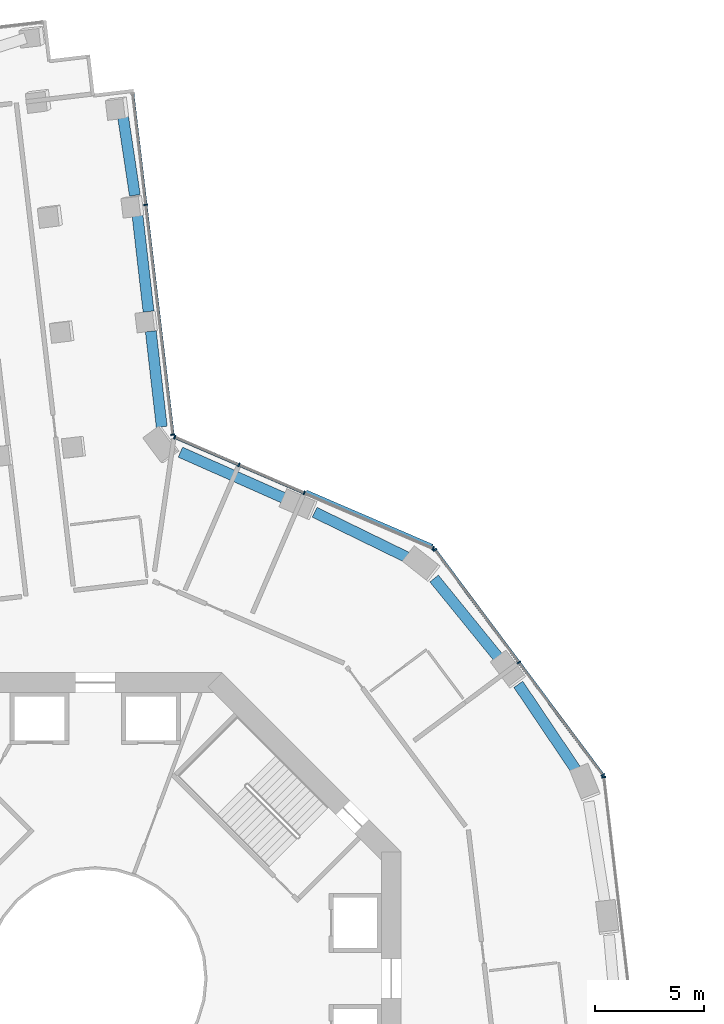
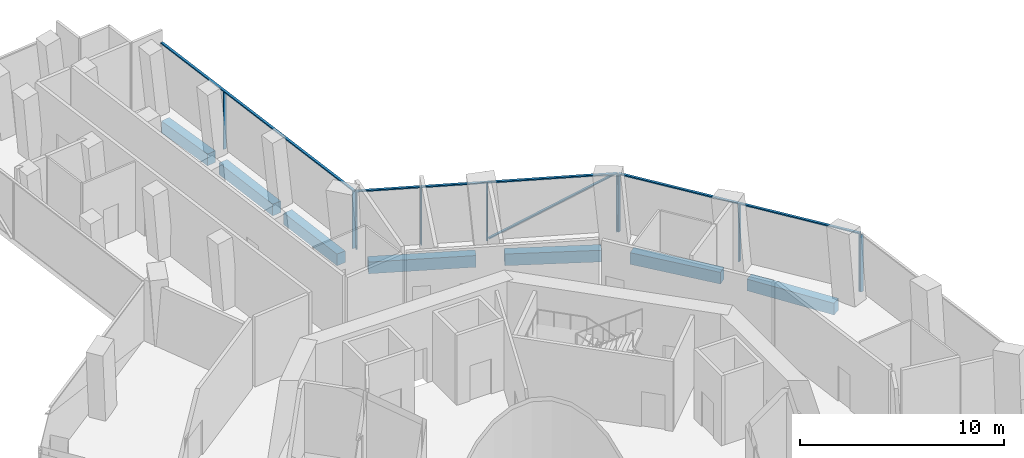
# One storey, part 7 of 17: 14 members, 7 beams, 4 elements without a shape of their own.
"""IFC4 building model written with IfcOpenShell, lengths in metres."""

from ifc_helpers import new_model, si_unit, direction, frame, origin, origin_2d, place, context, subcontext, project, spatial, rectangle, extrude, material, layer, layer_set, material_profile, profile_set, type_object, element, aggregate, save


model = new_model("IFC4")

# Units and contexts
model_context = context("Model", 3, precision=1e-05, world=origin(), true_north=direction((0.0, 1.0)))
body_context = subcontext(model_context, "Body", "Model", "MODEL_VIEW")
ifc_project = project(units=[si_unit("LENGTHUNIT", "METRE"), si_unit("AREAUNIT", "SQUARE_METRE"), si_unit("VOLUMEUNIT", "CUBIC_METRE"), si_unit("PLANEANGLEUNIT", "RADIAN"), si_unit("MASSUNIT", "GRAM", prefix="KILO")], contexts=[model_context])

# Site, building, storey
site_placement = place(None, origin())
site = spatial("IfcSite", under=ifc_project, at=site_placement, CompositionType="ELEMENT")
building_placement = place(site_placement, origin())
building = spatial("IfcBuilding", under=site, at=building_placement, Name="Verdalira Terraces Hotel", CompositionType="ELEMENT")
storey_placement = place(building_placement, frame((0.0, 0.0, 60.0)))
storey = spatial("IfcBuildingStorey", under=building, at=storey_placement, Name="L13", CompositionType="ELEMENT", Elevation=60.0)

# Curtain wall, members
ifc_material_1 = material(Name="Clear glass", Category="glass")
ifc_layer = layer(ifc_material_1, 0.179931640625)
ifc_layer_set = layer_set([ifc_layer], Name="CW4 curtain wall")
curtain_wall_type = type_object("IfcCurtainWallType", Name="CW4 curtain wall", PredefinedType="NOTDEFINED", material=ifc_layer_set)
curtain_wall_1_placement = place(storey_placement, origin())
curtain_wall_1 = element("IfcCurtainWall", 1, at=curtain_wall_1_placement, inside=storey, type_object=curtain_wall_type, Name="CW4 curtain wall L13 edge 0", PredefinedType="NOTDEFINED")
ifc_material_2 = material(Name="Terracotta frame", Category="masonry")
ifc_material_profile_1 = material_profile(ifc_material_2, rectangle(XDim=0.064941, YDim=0.179932, at=origin_2d()), Name="MU 65x180")
ifc_profile_set_1 = profile_set([ifc_material_profile_1], Name="Terracotta frame")
member_type_1 = type_object("IfcMemberType", Name="CW4 mullion 65x180", PredefinedType="MULLION", material=ifc_profile_set_1)
member_1_placement = place(storey_placement, frame((3.55127, 24.894775, 0.0), z_axis=(0.0, 0.0, 1.0), x_axis=(-0.117017412, 0.993129863, 0.0)))
member_1 = element("IfcMember", 2, at=member_1_placement, type_object=member_type_1, Name="CW4 mullion", PredefinedType="MULLION", context=body_context, shape_type="SweptSolid", body=[
    extrude(rectangle(XDim=0.064941, YDim=0.179932, at=origin_2d()), origin(), (0.0, 0.0, 1.0), 3.419922),
])
member_2_placement = place(storey_placement, frame((2.311523, 35.41626, 0.0), z_axis=(0.0, 0.0, 1.0), x_axis=(-0.117017412, 0.993129863, 0.0)))
member_2 = element("IfcMember", 3, at=member_2_placement, type_object=member_type_1, Name="CW4 mullion", PredefinedType="MULLION", context=body_context, shape_type="SweptSolid", body=[
    extrude(rectangle(XDim=0.064941, YDim=0.179932, at=origin_2d()), origin(), (0.0, 0.0, 1.0), 3.419922),
])

# Curtain wall, member
curtain_wall_2_placement = place(storey_placement, origin())
curtain_wall_2 = element("IfcCurtainWall", 4, at=curtain_wall_2_placement, inside=storey, type_object=curtain_wall_type, Name="CW4 curtain wall L13 edge 39", PredefinedType="NOTDEFINED")
member_3_placement = place(storey_placement, frame((23.280029, 9.214844, 0.0), z_axis=(0.0, 0.0, 1.0), x_axis=(-0.117017412, 0.993129863, 0.0)))
member_3 = element("IfcMember", 5, at=member_3_placement, type_object=member_type_1, Name="CW4 mullion", PredefinedType="MULLION", context=body_context, shape_type="SweptSolid", body=[
    extrude(rectangle(XDim=0.064941, YDim=0.179932, at=origin_2d()), origin(), (0.0, 0.0, 1.0), 3.419922),
])
aggregate(curtain_wall_2, [member_3])

# Curtain wall, members
curtain_wall_3_placement = place(storey_placement, origin())
curtain_wall_3 = element("IfcCurtainWall", 6, at=curtain_wall_3_placement, inside=storey, type_object=curtain_wall_type, Name="CW4 curtain wall L13 edge 40", PredefinedType="NOTDEFINED")
member_4_placement = place(storey_placement, frame((23.239502, 9.316406, 0.0), z_axis=(0.0, 0.0, 1.0), x_axis=(-0.597904983, 0.801566985, 0.0)))
member_4 = element("IfcMember", 7, at=member_4_placement, type_object=member_type_1, Name="CW4 mullion", PredefinedType="MULLION", context=body_context, shape_type="SweptSolid", body=[
    extrude(rectangle(XDim=0.064941, YDim=0.179932, at=origin_2d()), origin(), (0.0, 0.0, 1.0), 3.419922),
])
member_5_placement = place(storey_placement, frame((19.396484, 14.468262, 0.0), z_axis=(0.0, 0.0, 1.0), x_axis=(-0.597904983, 0.801566985, 0.0)))
member_5 = element("IfcMember", 8, at=member_5_placement, type_object=member_type_1, Name="CW4 mullion", PredefinedType="MULLION", context=body_context, shape_type="SweptSolid", body=[
    extrude(rectangle(XDim=0.064941, YDim=0.179932, at=origin_2d()), origin(), (0.0, 0.0, 1.0), 3.419922),
])
member_6_placement = place(storey_placement, frame((15.553711, 19.620117, 0.0), z_axis=(0.0, 0.0, 1.0), x_axis=(-0.597904983, 0.801566985, 0.0)))
member_6 = element("IfcMember", 9, at=member_6_placement, type_object=member_type_1, Name="CW4 mullion", PredefinedType="MULLION", context=body_context, shape_type="SweptSolid", body=[
    extrude(rectangle(XDim=0.064941, YDim=0.179932, at=origin_2d()), origin(), (0.0, 0.0, 1.0), 3.419922),
])

curtain_wall_4_placement = place(storey_placement, origin())
curtain_wall_4 = element("IfcCurtainWall", 10, at=curtain_wall_4_placement, inside=storey, type_object=curtain_wall_type, Name="CW4 curtain wall L13 edge 41", PredefinedType="NOTDEFINED")
member_7_placement = place(storey_placement, frame((15.467773, 19.687988, 0.0), z_axis=(0.0, 0.0, 1.0), x_axis=(-0.918584397, 0.39522488, 0.0)))
member_7 = element("IfcMember", 11, at=member_7_placement, type_object=member_type_1, Name="CW4 mullion", PredefinedType="MULLION", context=body_context, shape_type="SweptSolid", body=[
    extrude(rectangle(XDim=0.064941, YDim=0.179932, at=origin_2d()), origin(), (0.0, 0.0, 1.0), 3.419922),
])
member_8_placement = place(storey_placement, frame((9.563721, 22.228271, 0.0), z_axis=(0.0, 0.0, 1.0), x_axis=(-0.918584397, 0.39522488, 0.0)))
member_8 = element("IfcMember", 12, at=member_8_placement, type_object=member_type_1, Name="CW4 mullion", PredefinedType="MULLION", context=body_context, shape_type="SweptSolid", body=[
    extrude(rectangle(XDim=0.064941, YDim=0.179932, at=origin_2d()), origin(), (0.0, 0.0, 1.0), 3.419922),
])
member_9_placement = place(storey_placement, frame((6.578369, 23.512695, 0.0), z_axis=(0.0, 0.0, 1.0), x_axis=(-0.918584397, 0.39522488, 0.0)))
member_9 = element("IfcMember", 13, at=member_9_placement, type_object=member_type_1, Name="CW4 mullion", PredefinedType="MULLION", context=body_context, shape_type="SweptSolid", body=[
    extrude(rectangle(XDim=0.064941, YDim=0.179932, at=origin_2d()), origin(), (0.0, 0.0, 1.0), 3.419922),
])
member_10_placement = place(storey_placement, frame((3.638672, 24.777588, 0.0), z_axis=(0.0, 0.0, 1.0), x_axis=(-0.918584397, 0.39522488, 0.0)))
member_10 = element("IfcMember", 14, at=member_10_placement, type_object=member_type_1, Name="CW4 mullion", PredefinedType="MULLION", context=body_context, shape_type="SweptSolid", body=[
    extrude(rectangle(XDim=0.064941, YDim=0.179932, at=origin_2d()), origin(), (0.0, 0.0, 1.0), 3.419922),
])

# Member
ifc_material_3 = material(Name="Terracotta frame", Category="masonry")
ifc_material_profile_2 = material_profile(ifc_material_3, rectangle(XDim=0.139893, YDim=0.070068, at=origin_2d()), Name="TR 70x140")
ifc_profile_set_2 = profile_set([ifc_material_profile_2], Name="Terracotta frame")
member_type_2 = type_object("IfcMemberType", Name="CW4 transom 70x140", PredefinedType="USERDEFINED", material=ifc_profile_set_2)
member_11_placement = place(storey_placement, frame((3.555176, 24.862549, 3.455078), z_axis=(-0.117026842, 0.993128752, 0.0), x_axis=(-0.993128752, -0.117026842, 0.0)))
member_11 = element("IfcMember", 15, at=member_11_placement, type_object=member_type_2, Name="CW4 transom", ObjectType="TRANSOM", PredefinedType="USERDEFINED", context=body_context, shape_type="SweptSolid", body=[
    extrude(rectangle(XDim=0.139893, YDim=0.070068, at=origin_2d()), origin(), (0.0, 0.0, 1.0), 15.798828),
])

aggregate(curtain_wall_1, [member_1, member_2, member_11])

member_12_placement = place(storey_placement, frame((23.259033, 9.290283, 3.455078), z_axis=(-0.59791176, 0.80156193, 0.0), x_axis=(-0.80156193, -0.59791176, 0.0)))
member_12 = element("IfcMember", 16, at=member_12_placement, type_object=member_type_2, Name="CW4 transom", ObjectType="TRANSOM", PredefinedType="USERDEFINED", context=body_context, shape_type="SweptSolid", body=[
    extrude(rectangle(XDim=0.139893, YDim=0.070068, at=origin_2d()), origin(), (0.0, 0.0, 1.0), 12.919678),
])

aggregate(curtain_wall_3, [member_4, member_5, member_6, member_12])

member_13_placement = place(storey_placement, frame((15.497559, 19.675049, 3.455078), z_axis=(-0.918582089, 0.395230243, 0.0), x_axis=(-0.395230243, -0.918582089, 0.0)))
member_13 = element("IfcMember", 17, at=member_13_placement, type_object=member_type_2, Name="CW4 transom", ObjectType="TRANSOM", PredefinedType="USERDEFINED", context=body_context, shape_type="SweptSolid", body=[
    extrude(rectangle(XDim=0.139893, YDim=0.070068, at=origin_2d()), origin(), (0.0, 0.0, 1.0), 12.942383),
])

ifc_material_4 = material(Name="Terracotta frame", Category="masonry")
ifc_material_profile_3 = material_profile(ifc_material_4, rectangle(XDim=0.149902, YDim=0.060059, at=origin_2d()), Name="GB 60x150")
ifc_profile_set_3 = profile_set([ifc_material_profile_3], Name="Terracotta frame")
member_type_3 = type_object("IfcMemberType", Name="Diagonal glazing bar 60x150", PredefinedType="USERDEFINED", material=ifc_profile_set_3)
member_14_placement = place(storey_placement, frame((15.427979, 19.806396, 3.392578), z_axis=(-0.809094386, 0.348128703, -0.473468776), x_axis=(-0.39523673, -0.918579298, 0.0)))
member_14 = element("IfcMember", 18, at=member_14_placement, type_object=member_type_3, Name="Diagonal glazing bar", ObjectType="GLAZING BAR", PredefinedType="USERDEFINED", context=body_context, shape_type="SweptSolid", body=[
    extrude(rectangle(XDim=0.149902, YDim=0.060059, at=origin_2d()), origin(), (0.0, 0.0, 1.0), 7.107666),
])

aggregate(curtain_wall_4, [member_7, member_8, member_9, member_10, member_13, member_14])

# Beams
ifc_material_5 = material(Name="Concrete C70", Category="concrete")
ifc_material_profile_4 = material_profile(ifc_material_5, rectangle(XDim=0.5, YDim=0.699951, at=origin_2d()), Name="RC 500X700")
ifc_profile_set_4 = profile_set([ifc_material_profile_4], Name="Concrete C70")
beam_type = type_object("IfcBeamType", Name="Spandrel beam RC 500X700 C70", PredefinedType="SPANDREL", material=ifc_profile_set_4)
beam_1_placement = place(storey_placement, frame((3.043945, 25.25293, -0.659912), z_axis=(-0.113821919, 0.993501168, 0.0), x_axis=(-0.993501168, -0.113821919, 0.0)))
element("IfcBeam", 19, at=beam_1_placement, inside=storey, type_object=beam_type, Name="Spandrel beam B01", PredefinedType="SPANDREL", context=body_context, shape_type="SweptSolid", body=[
    extrude(rectangle(XDim=0.5, YDim=0.699951, at=origin_2d()), origin(), (0.0, 0.0, 1.0), 4.401367),
])
beam_2_placement = place(storey_placement, frame((2.439209, 30.530762, -0.659912), z_axis=(-0.113854323, 0.993497455, 0.0), x_axis=(-0.993497455, -0.113854323, 0.0)))
element("IfcBeam", 20, at=beam_2_placement, inside=storey, type_object=beam_type, Name="Spandrel beam B02", PredefinedType="SPANDREL", context=body_context, shape_type="SweptSolid", body=[
    extrude(rectangle(XDim=0.5, YDim=0.699951, at=origin_2d()), origin(), (0.0, 0.0, 1.0), 4.430176),
])
beam_3_placement = place(storey_placement, frame((1.813477, 35.848389, -0.659912), z_axis=(-0.148448504, 0.988920139, 0.0), x_axis=(-0.988920139, -0.148448504, 0.0)))
element("IfcBeam", 21, at=beam_3_placement, inside=storey, type_object=beam_type, Name="Spandrel beam B03", PredefinedType="SPANDREL", context=body_context, shape_type="SweptSolid", body=[
    extrude(rectangle(XDim=0.5, YDim=0.699951, at=origin_2d()), origin(), (0.0, 0.0, 1.0), 3.645996),
])
beam_4_placement = place(storey_placement, frame((22.025879, 9.51709, -0.659912), z_axis=(-0.558813578, 0.829293305, 0.0), x_axis=(-0.829293305, -0.558813578, 0.0)))
element("IfcBeam", 22, at=beam_4_placement, inside=storey, type_object=beam_type, Name="Spandrel beam B32", PredefinedType="SPANDREL", context=body_context, shape_type="SweptSolid", body=[
    extrude(rectangle(XDim=0.5, YDim=0.699951, at=origin_2d()), origin(), (0.0, 0.0, 1.0), 4.758545),
])
beam_5_placement = place(storey_placement, frame((18.510498, 14.61792, -0.659912), z_axis=(-0.630749166, 0.775986785, 0.0), x_axis=(-0.775986785, -0.630749166, 0.0)))
element("IfcBeam", 23, at=beam_5_placement, inside=storey, type_object=beam_type, Name="Spandrel beam B33", PredefinedType="SPANDREL", context=body_context, shape_type="SweptSolid", body=[
    extrude(rectangle(XDim=0.5, YDim=0.699951, at=origin_2d()), origin(), (0.0, 0.0, 1.0), 4.755371),
])
beam_6_placement = place(storey_placement, frame((14.316406, 19.254883, -0.659912), z_axis=(-0.898584452, 0.438800618, 0.0), x_axis=(-0.438800618, -0.898584452, 0.0)))
element("IfcBeam", 24, at=beam_6_placement, inside=storey, type_object=beam_type, Name="Spandrel beam B34", PredefinedType="SPANDREL", context=body_context, shape_type="SweptSolid", body=[
    extrude(rectangle(XDim=0.5, YDim=0.699951, at=origin_2d()), origin(), (0.0, 0.0, 1.0), 4.758789),
])
beam_7_placement = place(storey_placement, frame((8.756104, 21.940674, -0.659912), z_axis=(-0.914401889, 0.404807591, 0.0), x_axis=(-0.404807591, -0.914401889, 0.0)))
element("IfcBeam", 25, at=beam_7_placement, inside=storey, type_object=beam_type, Name="Spandrel beam B35", PredefinedType="SPANDREL", context=body_context, shape_type="SweptSolid", body=[
    extrude(rectangle(XDim=0.5, YDim=0.699951, at=origin_2d()), origin(), (0.0, 0.0, 1.0), 5.312012),
])

save(model, "model.ifc")
